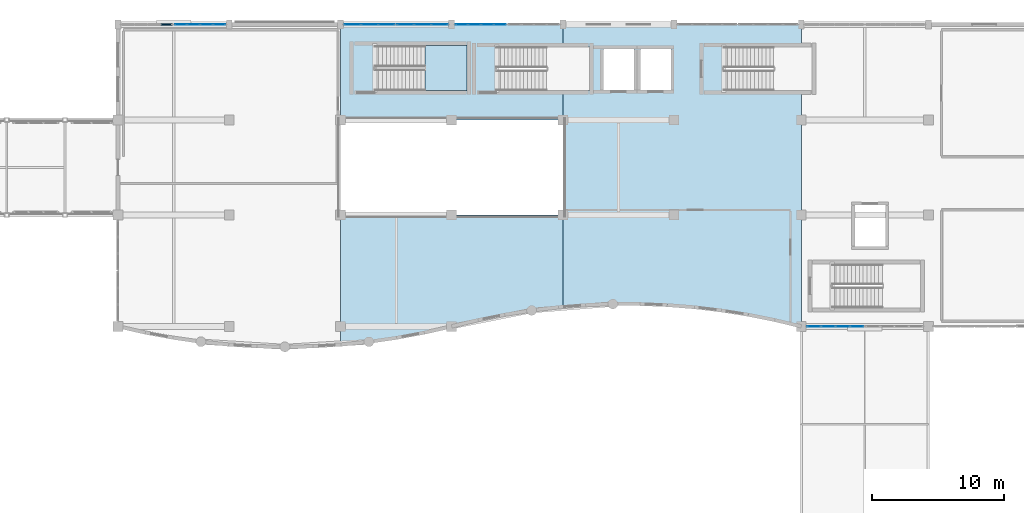
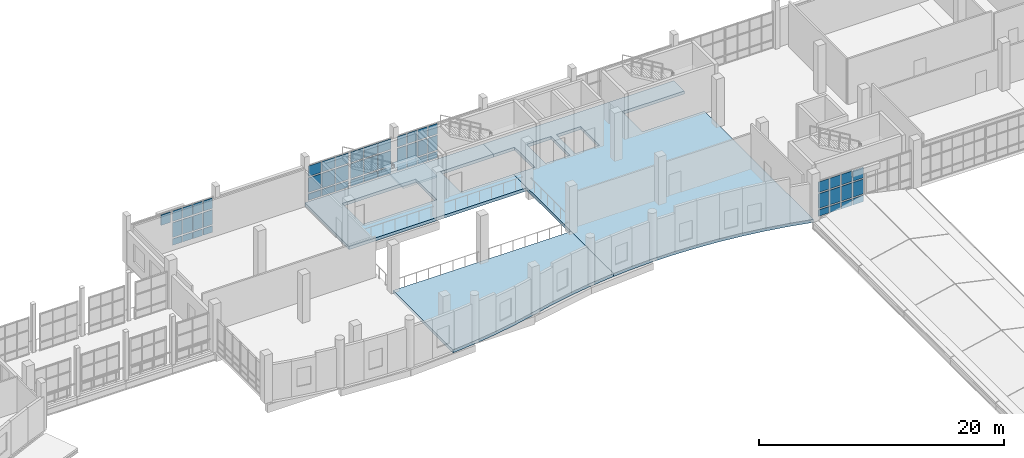
# One storey, part 72 of 106: 55 plates, 4 slabs, 7 elements without a shape of their own.
"""IFC4 building model written with IfcOpenShell, lengths in metres."""

from ifc_helpers import new_model, si_unit, direction, frame, origin, origin_2d, place, context, subcontext, project, spatial, polyline, rectangle, outline, extrude, material, layer, layer_set, type_object, element, aggregate, save


model = new_model("IFC4")

# Units and contexts
model_context = context("Model", 3, precision=1e-05, world=origin(), true_north=direction((0.0, 1.0)))
body_context = subcontext(model_context, "Body", "Model", "MODEL_VIEW")
ifc_project = project(units=[si_unit("LENGTHUNIT", "METRE"), si_unit("AREAUNIT", "SQUARE_METRE"), si_unit("VOLUMEUNIT", "CUBIC_METRE"), si_unit("PLANEANGLEUNIT", "RADIAN"), si_unit("MASSUNIT", "GRAM", prefix="KILO")], contexts=[model_context])

# Site, building, storey
site_placement = place(None, origin())
site = spatial("IfcSite", under=ifc_project, at=site_placement, CompositionType="ELEMENT")
building_placement = place(site_placement, origin())
building = spatial("IfcBuilding", under=site, at=building_placement, Name="Kisaragi Civic Commons", CompositionType="ELEMENT")
storey_placement = place(building_placement, frame((0.0, 0.0, 4.800048828125)))
storey = spatial("IfcBuildingStorey", under=building, at=storey_placement, Name="L01", CompositionType="ELEMENT", Elevation=4.800048828125)

# Curtain wall, plates
ifc_material_1 = material(Name="Thermally broken anodized aluminium and low-E double glazing", Category="aluminium")
ifc_layer_1 = layer(ifc_material_1, 0.179931640625, Name="Thermally broken anodized aluminium and low-E double glazing", Category="aluminium")
ifc_layer_set_1 = layer_set([ifc_layer_1], Name="Thermally broken anodized aluminium and low-E double glazing")
curtain_wall_type = type_object("IfcCurtainWallType", Name="CW-01", PredefinedType="NOTDEFINED", material=ifc_layer_set_1)
curtain_wall_1_placement = place(storey_placement, origin())
curtain_wall_1 = element("IfcCurtainWall", 1, at=curtain_wall_1_placement, inside=storey, type_object=curtain_wall_type, Name="L01 curtain wall CW-01 CW-V4-L01-060", PredefinedType="NOTDEFINED")
ifc_layer_2 = layer(ifc_material_1, 0.0439453125, Name="Thermally broken anodized aluminium and low-E double glazing", Category="aluminium")
ifc_layer_set_2 = layer_set([ifc_layer_2], Name="Thermally broken anodized aluminium and low-E double glazing")
plate_type_1 = type_object("IfcPlateType", Name="CWP-01", PredefinedType="CURTAIN_PANEL", material=ifc_layer_set_2)
plate_1_placement = place(storey_placement, frame((76.746337890625, 118.800048828125, 0.14013671875), z_axis=(0.0, 0.0, 1.0), x_axis=(1.0, 0.0, 0.0)))
plate_1 = element("IfcPlate", 2, at=plate_1_placement, type_object=plate_type_1, Name="CW-01 panel 1.1", PredefinedType="CURTAIN_PANEL", context=body_context, shape_type="SweptSolid", body=[
    extrude(rectangle(XDim=0.882568359375, YDim=0.0439453125, at=origin_2d()), origin(), (0.0, 0.0, 1.0), 0.639892578125),
])
plate_2_placement = place(storey_placement, frame((76.746337890625, 118.800048828125, 0.919921875), z_axis=(0.0, 0.0, 1.0), x_axis=(1.0, 0.0, 0.0)))
plate_2 = element("IfcPlate", 3, at=plate_2_placement, type_object=plate_type_1, Name="CW-01 panel 1.2", PredefinedType="CURTAIN_PANEL", context=body_context, shape_type="SweptSolid", body=[
    extrude(rectangle(XDim=0.882568359375, YDim=0.0439453125, at=origin_2d()), origin(), (0.0, 0.0, 1.0), 1.4599609375),
])
plate_3_placement = place(storey_placement, frame((76.746337890625, 118.800048828125, 2.52001953125), z_axis=(0.0, 0.0, 1.0), x_axis=(1.0, 0.0, 0.0)))
plate_3 = element("IfcPlate", 4, at=plate_3_placement, type_object=plate_type_1, Name="CW-01 panel 1.3", PredefinedType="CURTAIN_PANEL", context=body_context, shape_type="SweptSolid", body=[
    extrude(rectangle(XDim=0.882568359375, YDim=0.0439453125, at=origin_2d()), origin(), (0.0, 0.0, 1.0), 1.044921875),
])
plate_4_placement = place(storey_placement, frame((77.7099609375, 118.800048828125, 0.14013671875), z_axis=(0.0, 0.0, 1.0), x_axis=(1.0, 0.0, 0.0)))
plate_4 = element("IfcPlate", 5, at=plate_4_placement, type_object=plate_type_1, Name="CW-01 panel 2.1", PredefinedType="CURTAIN_PANEL", context=body_context, shape_type="SweptSolid", body=[
    extrude(rectangle(XDim=0.9150390625, YDim=0.0439453125, at=origin_2d()), origin(), (0.0, 0.0, 1.0), 0.639892578125),
])
plate_5_placement = place(storey_placement, frame((77.7099609375, 118.800048828125, 0.919921875), z_axis=(0.0, 0.0, 1.0), x_axis=(1.0, 0.0, 0.0)))
plate_5 = element("IfcPlate", 6, at=plate_5_placement, type_object=plate_type_1, Name="CW-01 panel 2.2", PredefinedType="CURTAIN_PANEL", context=body_context, shape_type="SweptSolid", body=[
    extrude(rectangle(XDim=0.9150390625, YDim=0.0439453125, at=origin_2d()), origin(), (0.0, 0.0, 1.0), 1.4599609375),
])
plate_6_placement = place(storey_placement, frame((77.7099609375, 118.800048828125, 2.52001953125), z_axis=(0.0, 0.0, 1.0), x_axis=(1.0, 0.0, 0.0)))
plate_6 = element("IfcPlate", 7, at=plate_6_placement, type_object=plate_type_1, Name="CW-01 panel 2.3", PredefinedType="CURTAIN_PANEL", context=body_context, shape_type="SweptSolid", body=[
    extrude(rectangle(XDim=0.9150390625, YDim=0.0439453125, at=origin_2d()), origin(), (0.0, 0.0, 1.0), 1.044921875),
])
plate_7_placement = place(storey_placement, frame((78.68994140625, 118.800048828125, 0.14013671875), z_axis=(0.0, 0.0, 1.0), x_axis=(1.0, 0.0, 0.0)))
plate_7 = element("IfcPlate", 8, at=plate_7_placement, type_object=plate_type_1, Name="CW-01 panel 3.1", PredefinedType="CURTAIN_PANEL", context=body_context, shape_type="SweptSolid", body=[
    extrude(rectangle(XDim=0.9150390625, YDim=0.0439453125, at=origin_2d()), origin(), (0.0, 0.0, 1.0), 0.639892578125),
])
plate_8_placement = place(storey_placement, frame((78.68994140625, 118.800048828125, 0.919921875), z_axis=(0.0, 0.0, 1.0), x_axis=(1.0, 0.0, 0.0)))
plate_8 = element("IfcPlate", 9, at=plate_8_placement, type_object=plate_type_1, Name="CW-01 panel 3.2", PredefinedType="CURTAIN_PANEL", context=body_context, shape_type="SweptSolid", body=[
    extrude(rectangle(XDim=0.9150390625, YDim=0.0439453125, at=origin_2d()), origin(), (0.0, 0.0, 1.0), 1.4599609375),
])
plate_9_placement = place(storey_placement, frame((78.68994140625, 118.800048828125, 2.52001953125), z_axis=(0.0, 0.0, 1.0), x_axis=(1.0, 0.0, 0.0)))
plate_9 = element("IfcPlate", 10, at=plate_9_placement, type_object=plate_type_1, Name="CW-01 panel 3.3", PredefinedType="CURTAIN_PANEL", context=body_context, shape_type="SweptSolid", body=[
    extrude(rectangle(XDim=0.9150390625, YDim=0.0439453125, at=origin_2d()), origin(), (0.0, 0.0, 1.0), 1.044921875),
])
plate_10_placement = place(storey_placement, frame((79.65380859375, 118.800048828125, 0.14013671875), z_axis=(0.0, 0.0, 1.0), x_axis=(1.0, 0.0, 0.0)))
plate_10 = element("IfcPlate", 11, at=plate_10_placement, type_object=plate_type_1, Name="CW-01 panel 4.1", PredefinedType="CURTAIN_PANEL", context=body_context, shape_type="SweptSolid", body=[
    extrude(rectangle(XDim=0.882568359375, YDim=0.0439453125, at=origin_2d()), origin(), (0.0, 0.0, 1.0), 0.639892578125),
])
plate_11_placement = place(storey_placement, frame((79.65380859375, 118.800048828125, 0.919921875), z_axis=(0.0, 0.0, 1.0), x_axis=(1.0, 0.0, 0.0)))
plate_11 = element("IfcPlate", 12, at=plate_11_placement, type_object=plate_type_1, Name="CW-01 panel 4.2", PredefinedType="CURTAIN_PANEL", context=body_context, shape_type="SweptSolid", body=[
    extrude(rectangle(XDim=0.882568359375, YDim=0.0439453125, at=origin_2d()), origin(), (0.0, 0.0, 1.0), 1.4599609375),
])
plate_12_placement = place(storey_placement, frame((79.65380859375, 118.800048828125, 2.52001953125), z_axis=(0.0, 0.0, 1.0), x_axis=(1.0, 0.0, 0.0)))
plate_12 = element("IfcPlate", 13, at=plate_12_placement, type_object=plate_type_1, Name="CW-01 panel 4.3", PredefinedType="CURTAIN_PANEL", context=body_context, shape_type="SweptSolid", body=[
    extrude(rectangle(XDim=0.882568359375, YDim=0.0439453125, at=origin_2d()), origin(), (0.0, 0.0, 1.0), 1.044921875),
])
aggregate(curtain_wall_1, [plate_1, plate_2, plate_3, plate_4, plate_5, plate_6, plate_7, plate_8, plate_9, plate_10, plate_11, plate_12])

curtain_wall_2_placement = place(storey_placement, origin())
curtain_wall_2 = element("IfcCurtainWall", 14, at=curtain_wall_2_placement, inside=storey, type_object=curtain_wall_type, Name="L01 curtain wall CW-01 CW-V4-L01-061", PredefinedType="NOTDEFINED")
ifc_layer_3 = layer(ifc_material_1, 0.052001953125, Name="Thermally broken anodized aluminium and low-E double glazing", Category="aluminium")
ifc_layer_set_3 = layer_set([ifc_layer_3], Name="Thermally broken anodized aluminium and low-E double glazing")
plate_type_2 = type_object("IfcPlateType", Name="CWP-02", PredefinedType="CURTAIN_PANEL", material=ifc_layer_set_3)
plate_13_placement = place(storey_placement, frame((89.70947265625, 118.800048828125, 0.14013671875), z_axis=(0.0, 0.0, 1.0), x_axis=(1.0, 0.0, 0.0)))
plate_13 = element("IfcPlate", 15, at=plate_13_placement, type_object=plate_type_2, Name="CW-01 panel 1.1", PredefinedType="CURTAIN_PANEL", context=body_context, shape_type="SweptSolid", body=[
    extrude(rectangle(XDim=1.209228515625, YDim=0.052001953125, at=origin_2d()), origin(), (0.0, 0.0, 1.0), 0.639892578125),
])
plate_14_placement = place(storey_placement, frame((89.70947265625, 118.800048828125, 0.919921875), z_axis=(0.0, 0.0, 1.0), x_axis=(1.0, 0.0, 0.0)))
plate_14 = element("IfcPlate", 16, at=plate_14_placement, type_object=plate_type_2, Name="CW-01 panel 1.2", PredefinedType="CURTAIN_PANEL", context=body_context, shape_type="SweptSolid", body=[
    extrude(rectangle(XDim=1.209228515625, YDim=0.052001953125, at=origin_2d()), origin(), (0.0, 0.0, 1.0), 1.4599609375),
])
plate_15_placement = place(storey_placement, frame((89.70947265625, 118.800048828125, 2.52001953125), z_axis=(0.0, 0.0, 1.0), x_axis=(1.0, 0.0, 0.0)))
plate_15 = element("IfcPlate", 17, at=plate_15_placement, type_object=plate_type_2, Name="CW-01 panel 1.3", PredefinedType="CURTAIN_PANEL", context=body_context, shape_type="SweptSolid", body=[
    extrude(rectangle(XDim=1.209228515625, YDim=0.052001953125, at=origin_2d()), origin(), (0.0, 0.0, 1.0), 1.044921875),
])
plate_16_placement = place(storey_placement, frame((91.0, 118.800048828125, 0.14013671875), z_axis=(0.0, 0.0, 1.0), x_axis=(1.0, 0.0, 0.0)))
plate_16 = element("IfcPlate", 18, at=plate_16_placement, type_object=plate_type_2, Name="CW-01 panel 2.1", PredefinedType="CURTAIN_PANEL", context=body_context, shape_type="SweptSolid", body=[
    extrude(rectangle(XDim=1.24169921875, YDim=0.052001953125, at=origin_2d()), origin(), (0.0, 0.0, 1.0), 0.639892578125),
])
plate_17_placement = place(storey_placement, frame((91.0, 118.800048828125, 0.919921875), z_axis=(0.0, 0.0, 1.0), x_axis=(1.0, 0.0, 0.0)))
plate_17 = element("IfcPlate", 19, at=plate_17_placement, type_object=plate_type_2, Name="CW-01 panel 2.2", PredefinedType="CURTAIN_PANEL", context=body_context, shape_type="SweptSolid", body=[
    extrude(rectangle(XDim=1.24169921875, YDim=0.052001953125, at=origin_2d()), origin(), (0.0, 0.0, 1.0), 1.4599609375),
])
plate_18_placement = place(storey_placement, frame((91.0, 118.800048828125, 2.52001953125), z_axis=(0.0, 0.0, 1.0), x_axis=(1.0, 0.0, 0.0)))
plate_18 = element("IfcPlate", 20, at=plate_18_placement, type_object=plate_type_2, Name="CW-01 panel 2.3", PredefinedType="CURTAIN_PANEL", context=body_context, shape_type="SweptSolid", body=[
    extrude(rectangle(XDim=1.24169921875, YDim=0.052001953125, at=origin_2d()), origin(), (0.0, 0.0, 1.0), 1.044921875),
])
plate_19_placement = place(storey_placement, frame((92.29052734375, 118.800048828125, 0.14013671875), z_axis=(0.0, 0.0, 1.0), x_axis=(1.0, 0.0, 0.0)))
plate_19 = element("IfcPlate", 21, at=plate_19_placement, type_object=plate_type_2, Name="CW-01 panel 3.1", PredefinedType="CURTAIN_PANEL", context=body_context, shape_type="SweptSolid", body=[
    extrude(rectangle(XDim=1.209228515625, YDim=0.052001953125, at=origin_2d()), origin(), (0.0, 0.0, 1.0), 0.639892578125),
])
plate_20_placement = place(storey_placement, frame((92.29052734375, 118.800048828125, 0.919921875), z_axis=(0.0, 0.0, 1.0), x_axis=(1.0, 0.0, 0.0)))
plate_20 = element("IfcPlate", 22, at=plate_20_placement, type_object=plate_type_2, Name="CW-01 panel 3.2", PredefinedType="CURTAIN_PANEL", context=body_context, shape_type="SweptSolid", body=[
    extrude(rectangle(XDim=1.209228515625, YDim=0.052001953125, at=origin_2d()), origin(), (0.0, 0.0, 1.0), 1.4599609375),
])
plate_21_placement = place(storey_placement, frame((92.29052734375, 118.800048828125, 2.52001953125), z_axis=(0.0, 0.0, 1.0), x_axis=(1.0, 0.0, 0.0)))
plate_21 = element("IfcPlate", 23, at=plate_21_placement, type_object=plate_type_2, Name="CW-01 panel 3.3", PredefinedType="CURTAIN_PANEL", context=body_context, shape_type="SweptSolid", body=[
    extrude(rectangle(XDim=1.209228515625, YDim=0.052001953125, at=origin_2d()), origin(), (0.0, 0.0, 1.0), 1.044921875),
])
aggregate(curtain_wall_2, [plate_13, plate_14, plate_15, plate_16, plate_17, plate_18, plate_19, plate_20, plate_21])

curtain_wall_3_placement = place(storey_placement, origin())
curtain_wall_3 = element("IfcCurtainWall", 24, at=curtain_wall_3_placement, inside=storey, type_object=curtain_wall_type, Name="L01 curtain wall CW-01 CW-V4-L01-076", PredefinedType="NOTDEFINED")
plate_22_placement = place(storey_placement, frame((127.797607421875, 96.0, 0.14013671875), z_axis=(0.0, 0.0, 1.0), x_axis=(-1.0, 0.0, 0.0)))
plate_22 = element("IfcPlate", 25, at=plate_22_placement, type_object=plate_type_2, Name="CW-01 panel 1.1", PredefinedType="CURTAIN_PANEL", context=body_context, shape_type="SweptSolid", body=[
    extrude(rectangle(XDim=0.9951171875, YDim=0.052001953125, at=origin_2d()), origin(), (0.0, 0.0, 1.0), 0.639892578125),
])
plate_23_placement = place(storey_placement, frame((127.797607421875, 96.0, 0.919921875), z_axis=(0.0, 0.0, 1.0), x_axis=(-1.0, 0.0, 0.0)))
plate_23 = element("IfcPlate", 26, at=plate_23_placement, type_object=plate_type_2, Name="CW-01 panel 1.2", PredefinedType="CURTAIN_PANEL", context=body_context, shape_type="SweptSolid", body=[
    extrude(rectangle(XDim=0.9951171875, YDim=0.052001953125, at=origin_2d()), origin(), (0.0, 0.0, 1.0), 1.4599609375),
])
plate_24_placement = place(storey_placement, frame((127.797607421875, 96.0, 2.52001953125), z_axis=(0.0, 0.0, 1.0), x_axis=(-1.0, 0.0, 0.0)))
plate_24 = element("IfcPlate", 27, at=plate_24_placement, type_object=plate_type_2, Name="CW-01 panel 1.3", PredefinedType="CURTAIN_PANEL", context=body_context, shape_type="SweptSolid", body=[
    extrude(rectangle(XDim=0.9951171875, YDim=0.052001953125, at=origin_2d()), origin(), (0.0, 0.0, 1.0), 1.044921875),
])
plate_25_placement = place(storey_placement, frame((126.72119140625, 96.0, 0.14013671875), z_axis=(0.0, 0.0, 1.0), x_axis=(-1.0, 0.0, 0.0)))
plate_25 = element("IfcPlate", 28, at=plate_25_placement, type_object=plate_type_2, Name="CW-01 panel 2.1", PredefinedType="CURTAIN_PANEL", context=body_context, shape_type="SweptSolid", body=[
    extrude(rectangle(XDim=1.027587890625, YDim=0.052001953125, at=origin_2d()), origin(), (0.0, 0.0, 1.0), 0.639892578125),
])
plate_26_placement = place(storey_placement, frame((126.72119140625, 96.0, 0.919921875), z_axis=(0.0, 0.0, 1.0), x_axis=(-1.0, 0.0, 0.0)))
plate_26 = element("IfcPlate", 29, at=plate_26_placement, type_object=plate_type_2, Name="CW-01 panel 2.2", PredefinedType="CURTAIN_PANEL", context=body_context, shape_type="SweptSolid", body=[
    extrude(rectangle(XDim=1.027587890625, YDim=0.052001953125, at=origin_2d()), origin(), (0.0, 0.0, 1.0), 1.4599609375),
])
plate_27_placement = place(storey_placement, frame((126.72119140625, 96.0, 2.52001953125), z_axis=(0.0, 0.0, 1.0), x_axis=(-1.0, 0.0, 0.0)))
plate_27 = element("IfcPlate", 30, at=plate_27_placement, type_object=plate_type_2, Name="CW-01 panel 2.3", PredefinedType="CURTAIN_PANEL", context=body_context, shape_type="SweptSolid", body=[
    extrude(rectangle(XDim=1.027587890625, YDim=0.052001953125, at=origin_2d()), origin(), (0.0, 0.0, 1.0), 1.044921875),
])
plate_28_placement = place(storey_placement, frame((125.628662109375, 96.0, 0.14013671875), z_axis=(0.0, 0.0, 1.0), x_axis=(-1.0, 0.0, 0.0)))
plate_28 = element("IfcPlate", 31, at=plate_28_placement, type_object=plate_type_2, Name="CW-01 panel 3.1", PredefinedType="CURTAIN_PANEL", context=body_context, shape_type="SweptSolid", body=[
    extrude(rectangle(XDim=1.027587890625, YDim=0.052001953125, at=origin_2d()), origin(), (0.0, 0.0, 1.0), 0.639892578125),
])
plate_29_placement = place(storey_placement, frame((125.628662109375, 96.0, 0.919921875), z_axis=(0.0, 0.0, 1.0), x_axis=(-1.0, 0.0, 0.0)))
plate_29 = element("IfcPlate", 32, at=plate_29_placement, type_object=plate_type_2, Name="CW-01 panel 3.2", PredefinedType="CURTAIN_PANEL", context=body_context, shape_type="SweptSolid", body=[
    extrude(rectangle(XDim=1.027587890625, YDim=0.052001953125, at=origin_2d()), origin(), (0.0, 0.0, 1.0), 1.4599609375),
])
plate_30_placement = place(storey_placement, frame((125.628662109375, 96.0, 2.52001953125), z_axis=(0.0, 0.0, 1.0), x_axis=(-1.0, 0.0, 0.0)))
plate_30 = element("IfcPlate", 33, at=plate_30_placement, type_object=plate_type_2, Name="CW-01 panel 3.3", PredefinedType="CURTAIN_PANEL", context=body_context, shape_type="SweptSolid", body=[
    extrude(rectangle(XDim=1.027587890625, YDim=0.052001953125, at=origin_2d()), origin(), (0.0, 0.0, 1.0), 1.044921875),
])
plate_31_placement = place(storey_placement, frame((124.552490234375, 96.0, 0.14013671875), z_axis=(0.0, 0.0, 1.0), x_axis=(-1.0, 0.0, 0.0)))
plate_31 = element("IfcPlate", 34, at=plate_31_placement, type_object=plate_type_2, Name="CW-01 panel 4.1", PredefinedType="CURTAIN_PANEL", context=body_context, shape_type="SweptSolid", body=[
    extrude(rectangle(XDim=0.9951171875, YDim=0.052001953125, at=origin_2d()), origin(), (0.0, 0.0, 1.0), 0.639892578125),
])
plate_32_placement = place(storey_placement, frame((124.552490234375, 96.0, 0.919921875), z_axis=(0.0, 0.0, 1.0), x_axis=(-1.0, 0.0, 0.0)))
plate_32 = element("IfcPlate", 35, at=plate_32_placement, type_object=plate_type_2, Name="CW-01 panel 4.2", PredefinedType="CURTAIN_PANEL", context=body_context, shape_type="SweptSolid", body=[
    extrude(rectangle(XDim=0.9951171875, YDim=0.052001953125, at=origin_2d()), origin(), (0.0, 0.0, 1.0), 1.4599609375),
])
plate_33_placement = place(storey_placement, frame((124.552490234375, 96.0, 2.52001953125), z_axis=(0.0, 0.0, 1.0), x_axis=(-1.0, 0.0, 0.0)))
plate_33 = element("IfcPlate", 36, at=plate_33_placement, type_object=plate_type_2, Name="CW-01 panel 4.3", PredefinedType="CURTAIN_PANEL", context=body_context, shape_type="SweptSolid", body=[
    extrude(rectangle(XDim=0.9951171875, YDim=0.052001953125, at=origin_2d()), origin(), (0.0, 0.0, 1.0), 1.044921875),
])
aggregate(curtain_wall_3, [plate_22, plate_23, plate_24, plate_25, plate_26, plate_27, plate_28, plate_29, plate_30, plate_31, plate_32, plate_33])

curtain_wall_4_placement = place(storey_placement, origin())
curtain_wall_4 = element("IfcCurtainWall", 37, at=curtain_wall_4_placement, inside=storey, type_object=curtain_wall_type, Name="L01 curtain wall CW-01 CW-V4-L01-062", PredefinedType="NOTDEFINED")
ifc_layer_4 = layer(ifc_material_1, 0.06396484375, Name="Thermally broken anodized aluminium and low-E double glazing", Category="aluminium")
ifc_layer_set_4 = layer_set([ifc_layer_4], Name="Thermally broken anodized aluminium and low-E double glazing")
plate_type_3 = type_object("IfcPlateType", Name="CWP-04", PredefinedType="CURTAIN_PANEL", material=ifc_layer_set_4)
plate_34_placement = place(storey_placement, frame((93.70947265625, 118.800048828125, 0.14013671875), z_axis=(0.0, 0.0, 1.0), x_axis=(1.0, 0.0, 0.0)))
plate_34 = element("IfcPlate", 38, at=plate_34_placement, type_object=plate_type_3, Name="CW-01 panel 1.1", PredefinedType="CURTAIN_PANEL", context=body_context, shape_type="SweptSolid", body=[
    extrude(rectangle(XDim=1.209228515625, YDim=0.06396484375, at=origin_2d()), origin(), (0.0, 0.0, 1.0), 0.639892578125),
])
plate_35_placement = place(storey_placement, frame((93.70947265625, 118.800048828125, 0.919921875), z_axis=(0.0, 0.0, 1.0), x_axis=(1.0, 0.0, 0.0)))
plate_35 = element("IfcPlate", 39, at=plate_35_placement, type_object=plate_type_3, Name="CW-01 panel 1.2", PredefinedType="CURTAIN_PANEL", context=body_context, shape_type="SweptSolid", body=[
    extrude(rectangle(XDim=1.209228515625, YDim=0.06396484375, at=origin_2d()), origin(), (0.0, 0.0, 1.0), 1.4599609375),
])
plate_36_placement = place(storey_placement, frame((93.70947265625, 118.800048828125, 2.52001953125), z_axis=(0.0, 0.0, 1.0), x_axis=(1.0, 0.0, 0.0)))
plate_36 = element("IfcPlate", 40, at=plate_36_placement, type_object=plate_type_3, Name="CW-01 panel 1.3", PredefinedType="CURTAIN_PANEL", context=body_context, shape_type="SweptSolid", body=[
    extrude(rectangle(XDim=1.209228515625, YDim=0.06396484375, at=origin_2d()), origin(), (0.0, 0.0, 1.0), 1.044921875),
])
plate_37_placement = place(storey_placement, frame((95.0, 118.800048828125, 0.14013671875), z_axis=(0.0, 0.0, 1.0), x_axis=(1.0, 0.0, 0.0)))
plate_37 = element("IfcPlate", 41, at=plate_37_placement, type_object=plate_type_3, Name="CW-01 panel 2.1", PredefinedType="CURTAIN_PANEL", context=body_context, shape_type="SweptSolid", body=[
    extrude(rectangle(XDim=1.24169921875, YDim=0.06396484375, at=origin_2d()), origin(), (0.0, 0.0, 1.0), 0.639892578125),
])
plate_38_placement = place(storey_placement, frame((95.0, 118.800048828125, 0.919921875), z_axis=(0.0, 0.0, 1.0), x_axis=(1.0, 0.0, 0.0)))
plate_38 = element("IfcPlate", 42, at=plate_38_placement, type_object=plate_type_3, Name="CW-01 panel 2.2", PredefinedType="CURTAIN_PANEL", context=body_context, shape_type="SweptSolid", body=[
    extrude(rectangle(XDim=1.24169921875, YDim=0.06396484375, at=origin_2d()), origin(), (0.0, 0.0, 1.0), 1.4599609375),
])
plate_39_placement = place(storey_placement, frame((95.0, 118.800048828125, 2.52001953125), z_axis=(0.0, 0.0, 1.0), x_axis=(1.0, 0.0, 0.0)))
plate_39 = element("IfcPlate", 43, at=plate_39_placement, type_object=plate_type_3, Name="CW-01 panel 2.3", PredefinedType="CURTAIN_PANEL", context=body_context, shape_type="SweptSolid", body=[
    extrude(rectangle(XDim=1.24169921875, YDim=0.06396484375, at=origin_2d()), origin(), (0.0, 0.0, 1.0), 1.044921875),
])
plate_40_placement = place(storey_placement, frame((96.29052734375, 118.800048828125, 0.14013671875), z_axis=(0.0, 0.0, 1.0), x_axis=(1.0, 0.0, 0.0)))
plate_40 = element("IfcPlate", 44, at=plate_40_placement, type_object=plate_type_3, Name="CW-01 panel 3.1", PredefinedType="CURTAIN_PANEL", context=body_context, shape_type="SweptSolid", body=[
    extrude(rectangle(XDim=1.209228515625, YDim=0.06396484375, at=origin_2d()), origin(), (0.0, 0.0, 1.0), 0.639892578125),
])
plate_41_placement = place(storey_placement, frame((96.29052734375, 118.800048828125, 0.919921875), z_axis=(0.0, 0.0, 1.0), x_axis=(1.0, 0.0, 0.0)))
plate_41 = element("IfcPlate", 45, at=plate_41_placement, type_object=plate_type_3, Name="CW-01 panel 3.2", PredefinedType="CURTAIN_PANEL", context=body_context, shape_type="SweptSolid", body=[
    extrude(rectangle(XDim=1.209228515625, YDim=0.06396484375, at=origin_2d()), origin(), (0.0, 0.0, 1.0), 1.4599609375),
])
plate_42_placement = place(storey_placement, frame((96.29052734375, 118.800048828125, 2.52001953125), z_axis=(0.0, 0.0, 1.0), x_axis=(1.0, 0.0, 0.0)))
plate_42 = element("IfcPlate", 46, at=plate_42_placement, type_object=plate_type_3, Name="CW-01 panel 3.3", PredefinedType="CURTAIN_PANEL", context=body_context, shape_type="SweptSolid", body=[
    extrude(rectangle(XDim=1.209228515625, YDim=0.06396484375, at=origin_2d()), origin(), (0.0, 0.0, 1.0), 1.044921875),
])
aggregate(curtain_wall_4, [plate_34, plate_35, plate_36, plate_37, plate_38, plate_39, plate_40, plate_41, plate_42])

curtain_wall_5_placement = place(storey_placement, origin())
curtain_wall_5 = element("IfcCurtainWall", 47, at=curtain_wall_5_placement, inside=storey, type_object=curtain_wall_type, Name="L01 curtain wall CW-01 CW-V4-L01-063", PredefinedType="NOTDEFINED")
ifc_layer_5 = layer(ifc_material_1, 0.048095703125, Name="Thermally broken anodized aluminium and low-E double glazing", Category="aluminium")
ifc_layer_set_5 = layer_set([ifc_layer_5], Name="Thermally broken anodized aluminium and low-E double glazing")
plate_type_4 = type_object("IfcPlateType", Name="CWP-05", PredefinedType="CURTAIN_PANEL", material=ifc_layer_set_5)
plate_43_placement = place(storey_placement, frame((97.9462890625, 118.800048828125, 0.14013671875), z_axis=(0.0, 0.0, 1.0), x_axis=(1.0, 0.0, 0.0)))
plate_43 = element("IfcPlate", 48, at=plate_43_placement, type_object=plate_type_4, Name="CW-01 panel 1.1", PredefinedType="CURTAIN_PANEL", context=body_context, shape_type="SweptSolid", body=[
    extrude(rectangle(XDim=0.882568359375, YDim=0.048095703125, at=origin_2d()), origin(), (0.0, 0.0, 1.0), 0.639892578125),
])
plate_44_placement = place(storey_placement, frame((97.9462890625, 118.800048828125, 0.919921875), z_axis=(0.0, 0.0, 1.0), x_axis=(1.0, 0.0, 0.0)))
plate_44 = element("IfcPlate", 49, at=plate_44_placement, type_object=plate_type_4, Name="CW-01 panel 1.2", PredefinedType="CURTAIN_PANEL", context=body_context, shape_type="SweptSolid", body=[
    extrude(rectangle(XDim=0.882568359375, YDim=0.048095703125, at=origin_2d()), origin(), (0.0, 0.0, 1.0), 1.4599609375),
])
plate_45_placement = place(storey_placement, frame((97.9462890625, 118.800048828125, 2.52001953125), z_axis=(0.0, 0.0, 1.0), x_axis=(1.0, 0.0, 0.0)))
plate_45 = element("IfcPlate", 50, at=plate_45_placement, type_object=plate_type_4, Name="CW-01 panel 1.3", PredefinedType="CURTAIN_PANEL", context=body_context, shape_type="SweptSolid", body=[
    extrude(rectangle(XDim=0.882568359375, YDim=0.048095703125, at=origin_2d()), origin(), (0.0, 0.0, 1.0), 1.044921875),
])
plate_46_placement = place(storey_placement, frame((98.909912109375, 118.800048828125, 0.14013671875), z_axis=(0.0, 0.0, 1.0), x_axis=(1.0, 0.0, 0.0)))
plate_46 = element("IfcPlate", 51, at=plate_46_placement, type_object=plate_type_4, Name="CW-01 panel 2.1", PredefinedType="CURTAIN_PANEL", context=body_context, shape_type="SweptSolid", body=[
    extrude(rectangle(XDim=0.9150390625, YDim=0.048095703125, at=origin_2d()), origin(), (0.0, 0.0, 1.0), 0.639892578125),
])
plate_47_placement = place(storey_placement, frame((98.909912109375, 118.800048828125, 0.919921875), z_axis=(0.0, 0.0, 1.0), x_axis=(1.0, 0.0, 0.0)))
plate_47 = element("IfcPlate", 52, at=plate_47_placement, type_object=plate_type_4, Name="CW-01 panel 2.2", PredefinedType="CURTAIN_PANEL", context=body_context, shape_type="SweptSolid", body=[
    extrude(rectangle(XDim=0.9150390625, YDim=0.048095703125, at=origin_2d()), origin(), (0.0, 0.0, 1.0), 1.4599609375),
])
plate_48_placement = place(storey_placement, frame((98.909912109375, 118.800048828125, 2.52001953125), z_axis=(0.0, 0.0, 1.0), x_axis=(1.0, 0.0, 0.0)))
plate_48 = element("IfcPlate", 53, at=plate_48_placement, type_object=plate_type_4, Name="CW-01 panel 2.3", PredefinedType="CURTAIN_PANEL", context=body_context, shape_type="SweptSolid", body=[
    extrude(rectangle(XDim=0.9150390625, YDim=0.048095703125, at=origin_2d()), origin(), (0.0, 0.0, 1.0), 1.044921875),
])
plate_49_placement = place(storey_placement, frame((99.889892578125, 118.800048828125, 0.14013671875), z_axis=(0.0, 0.0, 1.0), x_axis=(1.0, 0.0, 0.0)))
plate_49 = element("IfcPlate", 54, at=plate_49_placement, type_object=plate_type_4, Name="CW-01 panel 3.1", PredefinedType="CURTAIN_PANEL", context=body_context, shape_type="SweptSolid", body=[
    extrude(rectangle(XDim=0.9150390625, YDim=0.048095703125, at=origin_2d()), origin(), (0.0, 0.0, 1.0), 0.639892578125),
])
plate_50_placement = place(storey_placement, frame((99.889892578125, 118.800048828125, 0.919921875), z_axis=(0.0, 0.0, 1.0), x_axis=(1.0, 0.0, 0.0)))
plate_50 = element("IfcPlate", 55, at=plate_50_placement, type_object=plate_type_4, Name="CW-01 panel 3.2", PredefinedType="CURTAIN_PANEL", context=body_context, shape_type="SweptSolid", body=[
    extrude(rectangle(XDim=0.9150390625, YDim=0.048095703125, at=origin_2d()), origin(), (0.0, 0.0, 1.0), 1.4599609375),
])
plate_51_placement = place(storey_placement, frame((99.889892578125, 118.800048828125, 2.52001953125), z_axis=(0.0, 0.0, 1.0), x_axis=(1.0, 0.0, 0.0)))
plate_51 = element("IfcPlate", 56, at=plate_51_placement, type_object=plate_type_4, Name="CW-01 panel 3.3", PredefinedType="CURTAIN_PANEL", context=body_context, shape_type="SweptSolid", body=[
    extrude(rectangle(XDim=0.9150390625, YDim=0.048095703125, at=origin_2d()), origin(), (0.0, 0.0, 1.0), 1.044921875),
])
plate_52_placement = place(storey_placement, frame((100.853759765625, 118.800048828125, 0.14013671875), z_axis=(0.0, 0.0, 1.0), x_axis=(1.0, 0.0, 0.0)))
plate_52 = element("IfcPlate", 57, at=plate_52_placement, type_object=plate_type_4, Name="CW-01 panel 4.1", PredefinedType="CURTAIN_PANEL", context=body_context, shape_type="SweptSolid", body=[
    extrude(rectangle(XDim=0.882568359375, YDim=0.048095703125, at=origin_2d()), origin(), (0.0, 0.0, 1.0), 0.639892578125),
])
plate_53_placement = place(storey_placement, frame((100.853759765625, 118.800048828125, 0.919921875), z_axis=(0.0, 0.0, 1.0), x_axis=(1.0, 0.0, 0.0)))
plate_53 = element("IfcPlate", 58, at=plate_53_placement, type_object=plate_type_4, Name="CW-01 panel 4.2", PredefinedType="CURTAIN_PANEL", context=body_context, shape_type="SweptSolid", body=[
    extrude(rectangle(XDim=0.882568359375, YDim=0.048095703125, at=origin_2d()), origin(), (0.0, 0.0, 1.0), 1.4599609375),
])
plate_54_placement = place(storey_placement, frame((100.853759765625, 118.800048828125, 2.52001953125), z_axis=(0.0, 0.0, 1.0), x_axis=(1.0, 0.0, 0.0)))
plate_54 = element("IfcPlate", 59, at=plate_54_placement, type_object=plate_type_4, Name="CW-01 panel 4.3", PredefinedType="CURTAIN_PANEL", context=body_context, shape_type="SweptSolid", body=[
    extrude(rectangle(XDim=0.882568359375, YDim=0.048095703125, at=origin_2d()), origin(), (0.0, 0.0, 1.0), 1.044921875),
])
aggregate(curtain_wall_5, [plate_43, plate_44, plate_45, plate_46, plate_47, plate_48, plate_49, plate_50, plate_51, plate_52, plate_53, plate_54])

# Curtain wall, plate
curtain_wall_6_placement = place(storey_placement, origin())
curtain_wall_6 = element("IfcCurtainWall", 60, at=curtain_wall_6_placement, inside=storey, type_object=curtain_wall_type, Name="L01 curtain wall CW-01 CW-V4-L01-059", PredefinedType="NOTDEFINED")
ifc_layer_6 = layer(ifc_material_1, 0.077880859375, Name="Thermally broken anodized aluminium and low-E double glazing", Category="aluminium")
ifc_layer_set_6 = layer_set([ifc_layer_6], Name="Thermally broken anodized aluminium and low-E double glazing")
plate_type_5 = type_object("IfcPlateType", Name="CWP-18", PredefinedType="CURTAIN_PANEL", material=ifc_layer_set_6)
plate_55_placement = place(storey_placement, frame((75.65380859375, 118.800048828125, 2.52001953125), z_axis=(0.0, 0.0, 1.0), x_axis=(1.0, 0.0, 0.0)))
plate_55 = element("IfcPlate", 61, at=plate_55_placement, type_object=plate_type_5, Name="CW-01 panel 4.3", PredefinedType="CURTAIN_PANEL", context=body_context, shape_type="SweptSolid", body=[
    extrude(rectangle(XDim=0.882568359375, YDim=0.077880859375, at=origin_2d()), origin(), (0.0, 0.0, 1.0), 1.044921875),
])
aggregate(curtain_wall_6, [plate_55])

# Slabs
ifc_material_2 = material(Name="Concrete Fc30", Category="concrete")
ifc_layer_7 = layer(ifc_material_2, 0.304931640625, Name="Concrete Fc30", Category="concrete")
ifc_layer_set_7 = layer_set([ifc_layer_7], Name="Concrete Fc30")
slab_type_1 = type_object("IfcSlabType", Name="SL-F1", PredefinedType="FLOOR", material=ifc_layer_set_7)
slab_1_placement = place(storey_placement, frame((0.0, 0.0, -0.304931640625)))
element("IfcSlab", 62, at=slab_1_placement, inside=storey, type_object=slab_type_1, Name="V4 L01 slab SL-F1 41", PredefinedType="FLOOR", context=body_context, shape_type="SweptSolid", body=[
    extrude(outline(polyline([(88.800048828125, 118.800048828125), (88.800048828125, 111.60009765625), (105.60009765625, 111.60009765625), (105.60009765625, 113.800048828125), (100.60009765625, 113.800048828125), (100.60009765625, 117.10009765625), (105.60009765625, 117.10009765625), (105.60009765625, 118.800048828125), (88.800048828125, 118.800048828125)]), holes=[polyline([(91.39990234375, 117.199951171875), (91.39990234375, 113.800048828125), (98.35009765625, 113.800048828125), (98.35009765625, 117.199951171875), (91.39990234375, 117.199951171875)])]), origin(), (0.0, 0.0, 1.0), 0.304931640625),
])
slab_2_placement = place(storey_placement, frame((0.0, 0.0, -0.304931640625)))
element("IfcSlab", 63, at=slab_2_placement, inside=storey, type_object=slab_type_1, Name="V4 L01 slab SL-F1 42", PredefinedType="FLOOR", context=body_context, shape_type="SweptSolid", body=[
    extrude(outline(polyline([(105.60009765625, 97.475830078125), (105.60009765625, 104.39990234375), (88.800048828125, 104.39990234375), (88.800048828125, 94.62109375), (88.83740234375, 94.623291015625), (90.947509765625, 94.839111328125), (93.046875, 95.14111328125), (95.132080078125, 95.528076171875), (97.199951171875, 96.0), (99.19580078125, 96.48193359375), (101.208984375, 96.884521484375), (103.236572265625, 97.20751953125), (105.275146484375, 97.4501953125), (105.60009765625, 97.475830078125)])), origin(), (0.0, 0.0, 1.0), 0.304931640625),
])
slab_3_placement = place(storey_placement, frame((0.0, 0.0, -0.304931640625)))
element("IfcSlab", 64, at=slab_3_placement, inside=storey, type_object=slab_type_1, Name="V4 L01 slab SL-F1 43", PredefinedType="FLOOR", context=body_context, shape_type="SweptSolid", body=[
    extrude(outline(polyline([(105.60009765625, 118.800048828125), (105.60009765625, 117.10009765625), (107.60009765625, 117.10009765625), (107.60009765625, 113.800048828125), (105.60009765625, 113.800048828125), (105.60009765625, 111.60009765625), (105.60009765625, 104.39990234375), (105.60009765625, 97.475830078125), (107.322021484375, 97.612060546875), (109.373291015625, 97.693115234375), (111.426513671875, 97.693115234375), (113.47802734375, 97.612060546875), (115.52490234375, 97.4501953125), (117.5634765625, 97.20751953125), (119.591064453125, 96.884521484375), (121.604248046875, 96.48193359375), (123.60009765625, 96.0), (123.60009765625, 113.800048828125), (117.75, 113.800048828125), (117.75, 117.10009765625), (123.60009765625, 117.10009765625), (123.60009765625, 118.800048828125), (105.60009765625, 118.800048828125)]), holes=[polyline([(108.64990234375, 116.949951171875), (108.64990234375, 113.85009765625), (110.949951171875, 113.85009765625), (110.949951171875, 116.949951171875), (108.64990234375, 116.949951171875)]), polyline([(111.449951171875, 116.949951171875), (111.449951171875, 113.85009765625), (113.75, 113.85009765625), (113.75, 116.949951171875), (111.449951171875, 116.949951171875)])]), origin(), (0.0, 0.0, 1.0), 0.304931640625),
])

# Stair, slab
stair_type = type_object("IfcStairType", Name="ST-B", PredefinedType="HALF_TURN_STAIR", material=ifc_material_2)
stair_placement = place(storey_placement, origin())
stair = element("IfcStair", 65, at=stair_placement, inside=storey, type_object=stair_type, Name="L01 Stair ST-L4", PredefinedType="HALF_TURN_STAIR")
ifc_layer_8 = layer(ifc_material_2, 0.199951171875, Name="Concrete Fc30", Category="concrete")
ifc_layer_set_8 = layer_set([ifc_layer_8], Name="Concrete Fc30")
slab_type_2 = type_object("IfcSlabType", Name="STL-01", PredefinedType="LANDING", material=ifc_layer_set_8)
slab_4_placement = place(storey_placement, frame((0.0, 0.0, 2.199951171875)))
slab_4 = element("IfcSlab", 66, at=slab_4_placement, type_object=slab_type_2, Name="ST-L4 landing 1", PredefinedType="LANDING", context=body_context, shape_type="SweptSolid", body=[
    extrude(outline(polyline([(95.169921875, 113.800048828125), (98.35009765625, 113.800048828125), (98.35009765625, 117.199951171875), (95.169921875, 117.199951171875), (95.169921875, 113.800048828125)])), origin(), (0.0, 0.0, 1.0), 0.199951171875),
])
aggregate(stair, [slab_4])

save(model, "model.ifc")
